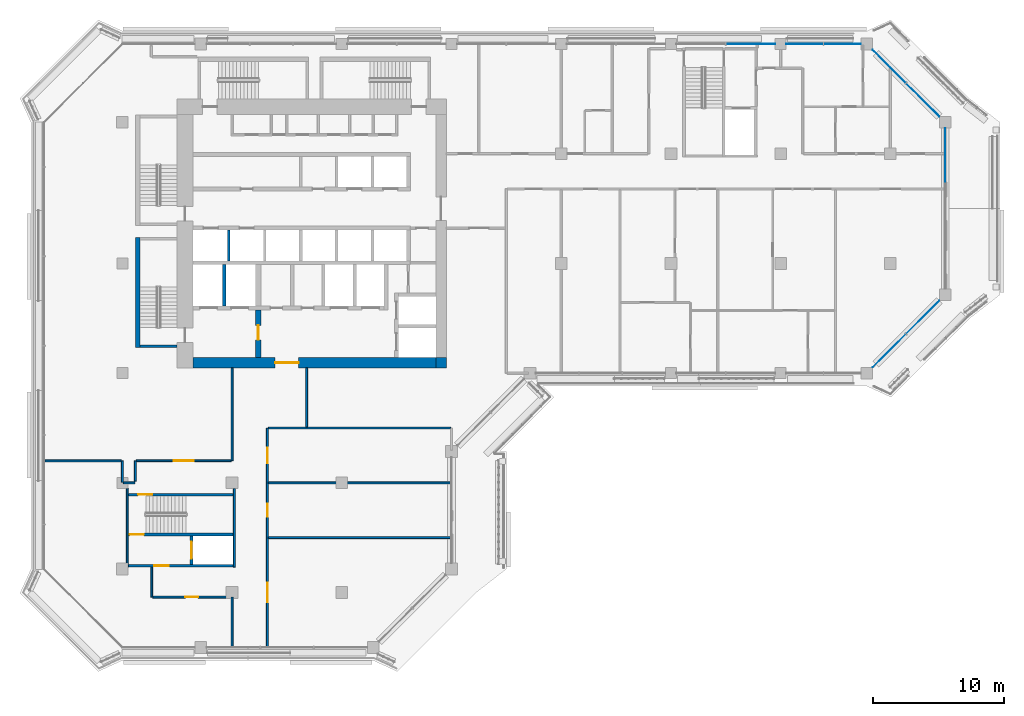
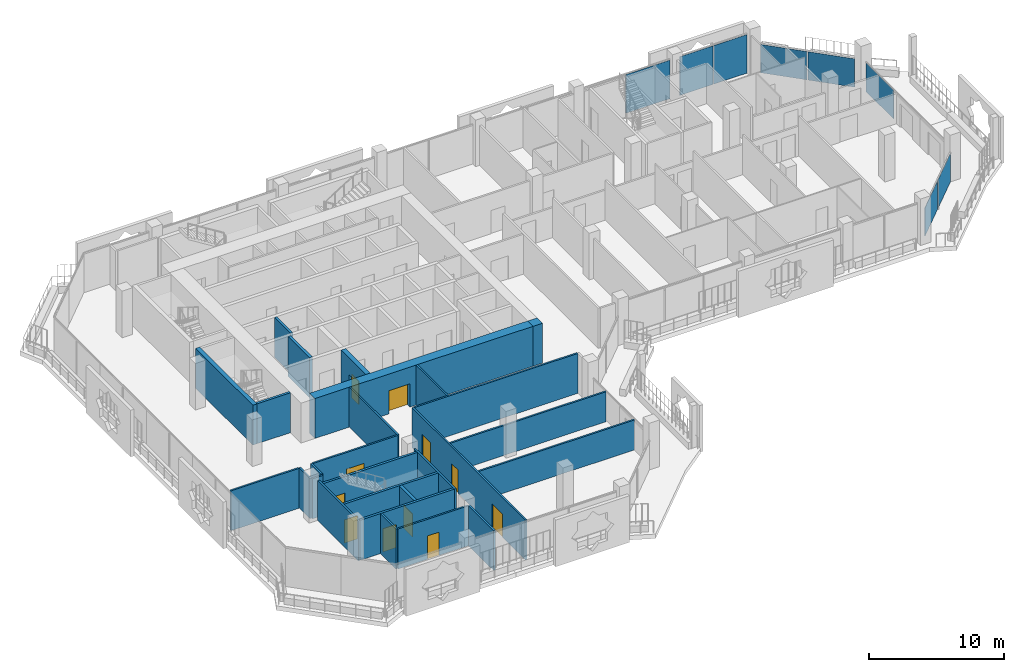
# One storey, part 9 of 20: 27 walls, 11 doors, 8 plates, 11 openings, 4 elements without a shape of their own.
"""IFC4 building model written with IfcOpenShell, lengths in metres."""

from ifc_helpers import new_model, si_unit, direction, frame, frame_2d, origin, origin_2d, place, context, subcontext, project, spatial, rectangle, extrude, material, layer, layer_set, type_object, element, fill, aggregate, save


model = new_model("IFC4")

# Units and contexts
model_context = context("Model", 3, precision=1e-05, world=origin(), true_north=direction((0.0, 1.0)))
body_context = subcontext(model_context, "Body", "Model", "MODEL_VIEW")
ifc_project = project(units=[si_unit("LENGTHUNIT", "METRE"), si_unit("AREAUNIT", "SQUARE_METRE"), si_unit("VOLUMEUNIT", "CUBIC_METRE"), si_unit("PLANEANGLEUNIT", "RADIAN"), si_unit("MASSUNIT", "GRAM", prefix="KILO")], contexts=[model_context])

# Site, building, storey
site_placement = place(None, origin())
site = spatial("IfcSite", under=ifc_project, at=site_placement, CompositionType="ELEMENT")
building_placement = place(site_placement, origin())
building = spatial("IfcBuilding", under=site, at=building_placement, Name="Kawkab Arch Medical Tower", CompositionType="ELEMENT")
storey_placement = place(building_placement, frame((0.0, 0.0, 239.0)))
storey = spatial("IfcBuildingStorey", under=building, at=storey_placement, Name="L55", CompositionType="ELEMENT", Elevation=239.0)

# Curtain wall, plate
ifc_material_1 = material(Name="Bronze anodised aluminium curtain wall frame", Category="aluminium")
ifc_layer_1 = layer(ifc_material_1, 0.159912109375)
ifc_layer_set_1 = layer_set([ifc_layer_1], Name="Bronze anodised aluminium curtain wall frame")
curtain_wall_type_1 = type_object("IfcCurtainWallType", Name="CW1 ward curtain wall", PredefinedType="NOTDEFINED", material=ifc_layer_set_1)
placement = place(storey_placement, origin())
curtain_wall_1 = element("IfcCurtainWall", 1, at=placement, inside=storey, type_object=curtain_wall_type_1, Name="CW1 Ward curtain wall R09", PredefinedType="NOTDEFINED")
ifc_material_2 = material(Name="Tinted insulating glass, bronze low-e coating", Category="glass")
ifc_layer_2 = layer(ifc_material_2, 0.031982421875)
ifc_layer_set_2 = layer_set([ifc_layer_2], Name="Tinted insulating glass, bronze low-e coating")
plate_type_1 = type_object("IfcPlateType", Name="CW1 glazing unit 32", PredefinedType="CURTAIN_PANEL", material=ifc_layer_set_2)
plate_1_placement = place(storey_placement, frame((63.0, -8.5, 0.0), z_axis=(0.0, 0.0, 1.0), x_axis=(0.0, 1.0, 0.0)))
plate_1 = element("IfcPlate", 2, at=plate_1_placement, type_object=plate_type_1, Name="CW1 glazing unit 1.3", PredefinedType="CURTAIN_PANEL", context=body_context, shape_type="SweptSolid", body=[
    extrude(rectangle(XDim=4.10009765625, YDim=0.031982421875, at=origin_2d()), origin(), (0.0, 0.0, 1.0), 2.580078125),
])
aggregate(curtain_wall_1, [plate_1])

# Curtain wall, plates
curtain_wall_2 = element("IfcCurtainWall", 3, at=placement, inside=storey, type_object=curtain_wall_type_1, Name="CW1 Ward curtain wall R11", PredefinedType="NOTDEFINED")
plate_2_placement = place(storey_placement, frame((55.1337890625, 0.0, 0.0), z_axis=(0.0, 0.0, 1.0), x_axis=(-1.0, 0.0, 0.0)))
plate_2 = element("IfcPlate", 4, at=plate_2_placement, type_object=plate_type_1, Name="CW1 glazing unit 1.1", PredefinedType="CURTAIN_PANEL", context=body_context, shape_type="SweptSolid", body=[
    extrude(rectangle(XDim=2.83251953125, YDim=0.031982421875, at=origin_2d()), origin(), (0.0, 0.0, 1.0), 3.47998046875),
])
plate_3_placement = place(storey_placement, frame((52.2412109375, 0.0, 0.0), z_axis=(0.0, 0.0, 1.0), x_axis=(-1.0, 0.0, 0.0)))
plate_3 = element("IfcPlate", 5, at=plate_3_placement, type_object=plate_type_1, Name="CW1 glazing unit 1.2", PredefinedType="CURTAIN_PANEL", context=body_context, shape_type="SweptSolid", body=[
    extrude(rectangle(XDim=2.83251953125, YDim=0.031982421875, at=origin_2d()), origin(), (0.0, 0.0, 1.0), 3.47998046875),
])
plate_4_placement = place(storey_placement, frame((48.1025390625, 0.0, 0.0), z_axis=(0.0, 0.0, 1.0), x_axis=(-1.0, 0.0, 0.0)))
plate_4 = element("IfcPlate", 6, at=plate_4_placement, type_object=plate_type_1, Name="CW1 glazing unit 2.1", PredefinedType="CURTAIN_PANEL", context=body_context, shape_type="SweptSolid", body=[
    extrude(rectangle(XDim=3.7451171875, YDim=0.031982421875, at=origin_2d()), origin(), (0.0, 0.0, 1.0), 3.47998046875),
])
aggregate(curtain_wall_2, [plate_2, plate_3, plate_4])

ifc_material_3 = material(Name="Bronze anodised aluminium curtain wall frame", Category="aluminium")
ifc_layer_3 = layer(ifc_material_3, 0.159912109375)
ifc_layer_set_3 = layer_set([ifc_layer_3], Name="Bronze anodised aluminium curtain wall frame")
curtain_wall_type_2 = type_object("IfcCurtainWallType", Name="CW2 chamfer curtain wall", PredefinedType="NOTDEFINED", material=ifc_layer_set_3)
curtain_wall_3 = element("IfcCurtainWall", 7, at=placement, inside=storey, type_object=curtain_wall_type_2, Name="CW2 Chamfer curtain wall R08", PredefinedType="NOTDEFINED")
ifc_material_4 = material(Name="Tinted insulating glass, bronze low-e coating", Category="glass")
ifc_layer_4 = layer(ifc_material_4, 0.031982421875)
ifc_layer_set_4 = layer_set([ifc_layer_4], Name="Tinted insulating glass, bronze low-e coating")
plate_type_2 = type_object("IfcPlateType", Name="CW2 glazing unit 32", PredefinedType="CURTAIN_PANEL", material=ifc_layer_set_4)
plate_5_placement = place(storey_placement, frame((58.71435546875, -23.485595703125, 0.0), z_axis=(0.0, 0.0, 1.0), x_axis=(0.707106781187, 0.707106781187, 0.0)))
plate_5 = element("IfcPlate", 8, at=plate_5_placement, type_object=plate_type_2, Name="CW2 glazing unit 1.1", PredefinedType="CURTAIN_PANEL", context=body_context, shape_type="SweptSolid", body=[
    extrude(rectangle(XDim=3.576171875, YDim=0.031982421875, at=origin_2d()), origin(), (0.0, 0.0, 1.0), 2.56005859375),
])
plate_6_placement = place(storey_placement, frame((61.28564453125, -20.914306640625, 0.0), z_axis=(0.0, 0.0, 1.0), x_axis=(0.707106781187, 0.707106781187, 0.0)))
plate_6 = element("IfcPlate", 9, at=plate_6_placement, type_object=plate_type_2, Name="CW2 glazing unit 1.2", PredefinedType="CURTAIN_PANEL", context=body_context, shape_type="SweptSolid", body=[
    extrude(rectangle(XDim=3.576171875, YDim=0.031982421875, at=origin_2d()), origin(), (0.0, 0.0, 1.0), 2.56005859375),
])
aggregate(curtain_wall_3, [plate_5, plate_6])

curtain_wall_4 = element("IfcCurtainWall", 10, at=placement, inside=storey, type_object=curtain_wall_type_2, Name="CW2 Chamfer curtain wall R10", PredefinedType="NOTDEFINED")
plate_7_placement = place(storey_placement, frame((61.28564453125, -4.28564453125, 0.0), z_axis=(0.0, 0.0, 1.0), x_axis=(-0.707106781187, 0.707106781187, 0.0)))
plate_7 = element("IfcPlate", 11, at=plate_7_placement, type_object=plate_type_2, Name="CW2 glazing unit 1.1", PredefinedType="CURTAIN_PANEL", context=body_context, shape_type="SweptSolid", body=[
    extrude(rectangle(XDim=3.576171875, YDim=0.031982421875, at=origin_2d()), origin(), (0.0, 0.0, 1.0), 2.56005859375),
])
plate_8_placement = place(storey_placement, frame((58.71435546875, -1.71435546875, 0.0), z_axis=(0.0, 0.0, 1.0), x_axis=(-0.707106781187, 0.707106781187, 0.0)))
plate_8 = element("IfcPlate", 12, at=plate_8_placement, type_object=plate_type_2, Name="CW2 glazing unit 1.2", PredefinedType="CURTAIN_PANEL", context=body_context, shape_type="SweptSolid", body=[
    extrude(rectangle(XDim=3.576171875, YDim=0.031982421875, at=origin_2d()), origin(), (0.0, 0.0, 1.0), 2.56005859375),
])
aggregate(curtain_wall_4, [plate_7, plate_8])

# Wall, opening, door
ifc_material_5 = material(Name="Concrete C50/60", Category="concrete")
ifc_layer_5 = layer(ifc_material_5, 0.800048828125)
ifc_layer_set_5 = layer_set([ifc_layer_5], Name="Concrete C50/60")
wall_type_1 = type_object("IfcWallType", Name="Core ring wall 800 C50/60", PredefinedType="SHEAR", material=ifc_layer_set_5)
wall_1_placement = place(storey_placement, frame((5.39990234375, -24.39990234375, 0.0), z_axis=(0.0, 0.0, 1.0), x_axis=(1.0, 0.0, 0.0)))
wall_1 = element("IfcWall", 13, at=wall_1_placement, inside=storey, type_object=wall_type_1, Name="L55 core wall", PredefinedType="SHEAR", context=body_context, shape_type="SweptSolid", body=[
    extrude(rectangle(XDim=18.60009765625, YDim=0.800048828125, at=frame_2d((9.300048828125, 0.0))), origin(), (0.0, 0.0, 1.0), 3.60009765625),
])
opening_1_placement = place(wall_1_placement, frame((6.300048828125, 0.0, 0.0)))
opening_1 = element("IfcOpeningElement", 14, at=opening_1_placement, cuts=wall_1, Name="Opening PD", PredefinedType="OPENING", context=body_context, shape_type="SweptSolid", body=[
    extrude(rectangle(XDim=1.800048828125, YDim=2.10009765625, at=frame_2d((0.89990234375, 1.050048828125))), frame((0.0, 0.409912109375, 0.0), z_axis=(0.0, -1.0, 0.0), x_axis=(1.0, 0.0, 0.0)), (0.0, 0.0, 1.0), 0.820068359375),
])
ifc_material_6 = material(Name="Hollow metal fire door leaf")
door_type_1 = type_object("IfcDoorType", Name="Core entrance doors 1800", OperationType="DOUBLE_DOOR_SINGLE_SWING", PredefinedType="DOOR", material=ifc_material_6)
door_1_placement = place(opening_1_placement, origin())
door_1 = element("IfcDoor", 15, at=door_1_placement, inside=storey, type_object=door_type_1, Name="L55 South entrance doors", OperationType="DOUBLE_DOOR_SINGLE_SWING", OverallHeight=2.10009765625, OverallWidth=1.800048828125, PredefinedType="DOOR", context=body_context, shape_type="SweptSolid", body=[
    extrude(rectangle(XDim=1.800048828125, YDim=2.10009765625, at=frame_2d((0.89990234375, 1.050048828125))), frame((0.0, 0.02490234375, 0.0), z_axis=(0.0, -1.0, 0.0), x_axis=(1.0, 0.0, 0.0)), (0.0, 0.0, 1.0), 0.050048828125),
])
fill(opening_1, door_1)

# Walls
wall_2_placement = place(storey_placement, frame((24.39990234375, -24.800048828125, 0.0), z_axis=(0.0, 0.0, 1.0), x_axis=(0.0, 1.0, 0.0)))
element("IfcWall", 16, at=wall_2_placement, inside=storey, type_object=wall_type_1, Name="L55 core wall", PredefinedType="SHEAR", context=body_context, shape_type="SweptSolid", body=[
    extrude(rectangle(XDim=0.800048828125, YDim=0.800048828125, at=frame_2d((0.39990234375, 0.0))), origin(), (0.0, 0.0, 1.0), 3.60009765625),
])
ifc_material_7 = material(Name="Concrete C60/75", Category="concrete")
ifc_layer_6 = layer(ifc_material_7, 0.25)
ifc_layer_set_6 = layer_set([ifc_layer_6], Name="Concrete C60/75")
wall_type_2 = type_object("IfcWallType", Name="Core shear wall 250 C60/75", PredefinedType="SHEAR", material=ifc_layer_set_6)
wall_3_placement = place(storey_placement, frame((7.800048828125, -20.050048828125, 0.0), z_axis=(0.0, 0.0, 1.0), x_axis=(0.0, 1.0, 0.0)))
element("IfcWall", 17, at=wall_3_placement, inside=storey, type_object=wall_type_2, Name="L55 core shear wall", PredefinedType="SHEAR", context=body_context, shape_type="SweptSolid", body=[
    extrude(rectangle(XDim=3.150146484375, YDim=0.25, at=frame_2d((1.5751953125, 0.0))), origin(), (0.0, 0.0, 1.0), 3.60009765625),
])

# Wall, opening, door
wall_4_placement = place(storey_placement, frame((5.300048828125, -39.85009765625, 0.0), z_axis=(0.0, 0.0, 1.0), x_axis=(0.0, 1.0, 0.0)))
wall_4 = element("IfcWall", 18, at=wall_4_placement, inside=storey, type_object=wall_type_2, Name="L55 core shear wall", PredefinedType="SHEAR", context=body_context, shape_type="SweptSolid", body=[
    extrude(rectangle(XDim=2.2001953125, YDim=0.25, at=frame_2d((1.10009765625, 0.0))), origin(), (0.0, 0.0, 1.0), 3.60009765625),
])
opening_2_placement = place(wall_4_placement, frame((0.449951171875, 0.0, 0.0)))
opening_2 = element("IfcOpeningElement", 19, at=opening_2_placement, cuts=wall_4, Name="Opening LD2", PredefinedType="OPENING", context=body_context, shape_type="SweptSolid", body=[
    extrude(rectangle(XDim=1.300048828125, YDim=2.10009765625, at=frame_2d((0.64990234375, 1.050048828125))), frame((0.0, 0.135009765625, 0.0), z_axis=(0.0, -1.0, 0.0), x_axis=(1.0, 0.0, 0.0)), (0.0, 0.0, 1.0), 0.27001953125),
])
ifc_material_8 = material(Name="Stainless steel lift door leaf", Category="steel")
door_type_2 = type_object("IfcDoorType", Name="Lift landing door 1300", OperationType="DOUBLE_DOOR_SLIDING", PredefinedType="DOOR", material=ifc_material_8)
door_2_placement = place(opening_2_placement, origin())
door_2 = element("IfcDoor", 20, at=door_2_placement, inside=storey, type_object=door_type_2, Name="L55 Lift landing door SV2", OperationType="DOUBLE_DOOR_SLIDING", OverallHeight=2.10009765625, OverallWidth=1.300048828125, PredefinedType="DOOR", context=body_context, shape_type="SweptSolid", body=[
    extrude(rectangle(XDim=1.300048828125, YDim=2.10009765625, at=frame_2d((0.64990234375, 1.050048828125))), frame((0.0, 0.02490234375, 0.0), z_axis=(0.0, -1.0, 0.0), x_axis=(1.0, 0.0, 0.0)), (0.0, 0.0, 1.0), 0.050048828125),
])
fill(opening_2, door_2)

ifc_material_9 = material(Name="Concrete C60/75", Category="concrete")
ifc_layer_7 = layer(ifc_material_9, 0.39990234375)
ifc_layer_set_7 = layer_set([ifc_layer_7], Name="Concrete C60/75")
wall_type_3 = type_object("IfcWallType", Name="Core shear wall 400 C60/75", PredefinedType="SHEAR", material=ifc_layer_set_7)
wall_5_placement = place(storey_placement, frame((10.39990234375, -24.0, 0.0), z_axis=(0.0, 0.0, 1.0), x_axis=(0.0, 1.0, 0.0)))
wall_5 = element("IfcWall", 21, at=wall_5_placement, inside=storey, type_object=wall_type_3, Name="L55 core shear wall", PredefinedType="SHEAR", context=body_context, shape_type="SweptSolid", body=[
    extrude(rectangle(XDim=3.64990234375, YDim=0.39990234375, at=frame_2d((1.824951171875, 0.0))), origin(), (0.0, 0.0, 1.0), 3.60009765625),
])
opening_3_placement = place(wall_5_placement, frame((1.35009765625, 0.0, 0.0)))
opening_3 = element("IfcOpeningElement", 22, at=opening_3_placement, cuts=wall_5, Name="Opening FD", PredefinedType="OPENING", context=body_context, shape_type="SweptSolid", body=[
    extrude(rectangle(XDim=1.10009765625, YDim=2.10009765625, at=frame_2d((0.550048828125, 1.050048828125))), frame((0.0, 0.2099609375, 0.0), z_axis=(0.0, -1.0, 0.0), x_axis=(1.0, 0.0, 0.0)), (0.0, 0.0, 1.0), 0.419921875),
])
ifc_material_10 = material(Name="Hollow metal fire door leaf")
door_type_3 = type_object("IfcDoorType", Name="Firefighting lobby door 1100", OperationType="SINGLE_SWING_LEFT", PredefinedType="DOOR", material=ifc_material_10)
door_3_placement = place(opening_3_placement, origin())
door_3 = element("IfcDoor", 23, at=door_3_placement, inside=storey, type_object=door_type_3, Name="L55 Firefighting lobby door", OperationType="SINGLE_SWING_LEFT", OverallHeight=2.10009765625, OverallWidth=1.10009765625, PredefinedType="DOOR", context=body_context, shape_type="SweptSolid", body=[
    extrude(rectangle(XDim=1.10009765625, YDim=2.10009765625, at=frame_2d((0.550048828125, 1.050048828125))), frame((0.0, 0.02490234375, 0.0), z_axis=(0.0, -1.0, 0.0), x_axis=(1.0, 0.0, 0.0)), (0.0, 0.0, 1.0), 0.050048828125),
])
fill(opening_3, door_3)

# Wall
ifc_material_11 = material(Name="Dense concrete blockwork", Category="masonry")
ifc_layer_8 = layer(ifc_material_11, 0.199951171875)
ifc_layer_set_8 = layer_set([ifc_layer_8], Name="Dense concrete blockwork")
wall_type_4 = type_object("IfcWallType", Name="Lift shaft partition 200", PredefinedType="PARTITIONING", material=ifc_layer_set_8)
wall_6_placement = place(storey_placement, frame((8.14990234375, -16.60009765625, 0.0), z_axis=(0.0, 0.0, 1.0), x_axis=(0.0, 1.0, 0.0)))
element("IfcWall", 24, at=wall_6_placement, inside=storey, type_object=wall_type_4, Name="L55 lift shaft partition", PredefinedType="PARTITIONING", context=body_context, shape_type="SweptSolid", body=[
    extrude(rectangle(XDim=2.35009765625, YDim=0.199951171875, at=frame_2d((1.175048828125, 0.0))), origin(), (0.0, 0.0, 1.0), 3.60009765625),
])

# Wall, opening, door
ifc_material_12 = material(Name="Gypsum board partition on steel studs, mineral wool", Category="steel")
ifc_layer_9 = layer(ifc_material_12, 0.14990234375)
ifc_layer_set_9 = layer_set([ifc_layer_9], Name="Gypsum board partition on steel studs, mineral wool")
wall_type_5 = type_object("IfcWallType", Name="Partition 150", PredefinedType="PARTITIONING", material=ifc_layer_set_9)
wall_7_placement = place(storey_placement, frame((2.326904296875, -42.35009765625, 0.0), z_axis=(0.0, 0.0, 1.0), x_axis=(1.0, 0.0, 0.0)))
wall_7 = element("IfcWall", 25, at=wall_7_placement, inside=storey, type_object=wall_type_5, Name="Partition 150 w012", PredefinedType="PARTITIONING", context=body_context, shape_type="SweptSolid", body=[
    extrude(rectangle(XDim=5.998046875, YDim=0.14990234375, at=frame_2d((2.9990234375, 0.0))), origin(), (0.0, 0.0, 1.0), 3.60009765625),
])
opening_4_placement = place(wall_7_placement, frame((2.4990234375, 0.0, 0.0)))
opening_4 = element("IfcOpeningElement", 26, at=opening_4_placement, cuts=wall_7, Name="Opening W55-020", PredefinedType="OPENING", context=body_context, shape_type="SweptSolid", body=[
    extrude(rectangle(XDim=1.0, YDim=2.10009765625, at=frame_2d((0.5, 1.050048828125))), frame((0.0, 0.0849609375, 0.0), z_axis=(0.0, -1.0, 0.0), x_axis=(1.0, 0.0, 0.0)), (0.0, 0.0, 1.0), 0.169921875),
])
ifc_material_13 = material(Name="Hollow metal door leaf")
door_type_4 = type_object("IfcDoorType", Name="Single door 1000x2100 FD30S", OperationType="NOTDEFINED", PredefinedType="DOOR", material=ifc_material_13)
door_4_placement = place(opening_4_placement, origin())
door_4 = element("IfcDoor", 27, at=door_4_placement, inside=storey, type_object=door_type_4, Name="Door W55-020", OperationType="SINGLE_SWING_RIGHT", OverallHeight=2.10009765625, OverallWidth=1.0, PredefinedType="DOOR", context=body_context, shape_type="SweptSolid", body=[
    extrude(rectangle(XDim=1.0, YDim=2.10009765625, at=frame_2d((0.5, 1.050048828125))), frame((0.0, 0.02490234375, 0.0), z_axis=(0.0, -1.0, 0.0), x_axis=(1.0, 0.0, 0.0)), (0.0, 0.0, 1.0), 0.050048828125),
])
fill(opening_4, door_4)

# Walls
wall_8_placement = place(storey_placement, frame((11.175048828125, -37.800048828125, 0.0), z_axis=(0.0, 0.0, 1.0), x_axis=(1.0, 0.0, 0.0)))
element("IfcWall", 28, at=wall_8_placement, inside=storey, type_object=wall_type_5, Name="Partition 150 w013", PredefinedType="PARTITIONING", context=body_context, shape_type="SweptSolid", body=[
    extrude(rectangle(XDim=13.945068359375, YDim=0.14990234375, at=frame_2d((6.97265625, 0.0))), origin(), (0.0, 0.0, 1.0), 2.699951171875),
])
wall_9_placement = place(storey_placement, frame((0.074951171875, -33.60009765625, 0.0), z_axis=(0.0, 0.0, 1.0), x_axis=(1.0, 0.0, 0.0)))
element("IfcWall", 29, at=wall_9_placement, inside=storey, type_object=wall_type_5, Name="Partition 150 w014", PredefinedType="PARTITIONING", context=body_context, shape_type="SweptSolid", body=[
    extrude(rectangle(XDim=0.875, YDim=0.14990234375, at=frame_2d((0.4375, 0.0))), origin(), (0.0, 0.0, 1.0), 3.60009765625),
])
wall_10_placement = place(storey_placement, frame((11.175048828125, -33.60009765625, 0.0), z_axis=(0.0, 0.0, 1.0), x_axis=(1.0, 0.0, 0.0)))
element("IfcWall", 30, at=wall_10_placement, inside=storey, type_object=wall_type_5, Name="Partition 150 w015", PredefinedType="PARTITIONING", context=body_context, shape_type="SweptSolid", body=[
    extrude(rectangle(XDim=13.945068359375, YDim=0.14990234375, at=frame_2d((6.97265625, 0.0))), origin(), (0.0, 0.0, 1.0), 2.699951171875),
])
wall_11_placement = place(storey_placement, frame((-5.919921875, -31.919921875, 0.0), z_axis=(0.0, 0.0, 1.0), x_axis=(1.0, 0.0, 0.0)))
element("IfcWall", 31, at=wall_11_placement, inside=storey, type_object=wall_type_5, Name="Partition 150 w016", PredefinedType="PARTITIONING", context=body_context, shape_type="SweptSolid", body=[
    extrude(rectangle(XDim=5.824951171875, YDim=0.14990234375, at=frame_2d((2.91259765625, 0.0))), origin(), (0.0, 0.0, 1.0), 3.60009765625),
])

# Wall, opening, door
wall_12_placement = place(storey_placement, frame((1.076904296875, -31.906982421875, 0.0), z_axis=(0.0, 0.0, 1.0), x_axis=(1.0, 0.0, 0.0)))
wall_12 = element("IfcWall", 32, at=wall_12_placement, inside=storey, type_object=wall_type_5, Name="Partition 150 w017", PredefinedType="PARTITIONING", context=body_context, shape_type="SweptSolid", body=[
    extrude(rectangle(XDim=7.248046875, YDim=0.14990234375, at=frame_2d((3.6240234375, 0.0))), origin(), (0.0, 0.0, 1.0), 3.60009765625),
])
opening_5_placement = place(wall_12_placement, frame((2.8740234375, 0.0, 0.0)))
opening_5 = element("IfcOpeningElement", 33, at=opening_5_placement, cuts=wall_12, Name="Opening W55-003", PredefinedType="OPENING", context=body_context, shape_type="SweptSolid", body=[
    extrude(rectangle(XDim=1.5, YDim=2.10009765625, at=frame_2d((0.75, 1.050048828125))), frame((0.0, 0.0849609375, 0.0), z_axis=(0.0, -1.0, 0.0), x_axis=(1.0, 0.0, 0.0)), (0.0, 0.0, 1.0), 0.169921875),
])
ifc_material_14 = material(Name="Hollow metal door leaf")
door_type_5 = type_object("IfcDoorType", Name="Double door 1500x2100 FD30S", OperationType="NOTDEFINED", PredefinedType="DOOR", material=ifc_material_14)
door_5_placement = place(opening_5_placement, origin())
door_5 = element("IfcDoor", 34, at=door_5_placement, inside=storey, type_object=door_type_5, Name="Door W55-003", OperationType="DOUBLE_DOOR_SINGLE_SWING", OverallHeight=2.10009765625, OverallWidth=1.5, PredefinedType="DOOR", context=body_context, shape_type="SweptSolid", body=[
    extrude(rectangle(XDim=1.5, YDim=2.10009765625, at=frame_2d((0.75, 1.050048828125))), frame((0.0, 0.02490234375, 0.0), z_axis=(0.0, -1.0, 0.0), x_axis=(1.0, 0.0, 0.0)), (0.0, 0.0, 1.0), 0.050048828125),
])
fill(opening_5, door_5)

# Walls
wall_13_placement = place(storey_placement, frame((11.175048828125, -29.39990234375, 0.0), z_axis=(0.0, 0.0, 1.0), x_axis=(1.0, 0.0, 0.0)))
element("IfcWall", 35, at=wall_13_placement, inside=storey, type_object=wall_type_5, Name="Partition 150 w018", PredefinedType="PARTITIONING", context=body_context, shape_type="SweptSolid", body=[
    extrude(rectangle(XDim=13.949951171875, YDim=0.14990234375, at=frame_2d((6.97509765625, 0.0))), origin(), (0.0, 0.0, 1.0), 3.60009765625),
])
wall_14_placement = place(storey_placement, frame((0.0, -33.56005859375, 0.0), z_axis=(0.0, 0.0, 1.0), x_axis=(0.0, 1.0, 0.0)))
element("IfcWall", 36, at=wall_14_placement, inside=storey, type_object=wall_type_5, Name="Partition 150 w028", PredefinedType="PARTITIONING", context=body_context, shape_type="SweptSolid", body=[
    extrude(rectangle(XDim=1.63916015625, YDim=0.14990234375, at=frame_2d((0.819580078125, 0.0))), origin(), (0.0, 0.0, 1.0), 3.60009765625),
])
wall_15_placement = place(storey_placement, frame((1.0, -33.465087890625, 0.0), z_axis=(0.0, 0.0, 1.0), x_axis=(0.0, 1.0, 0.0)))
element("IfcWall", 37, at=wall_15_placement, inside=storey, type_object=wall_type_5, Name="Partition 150 w029", PredefinedType="PARTITIONING", context=body_context, shape_type="SweptSolid", body=[
    extrude(rectangle(XDim=1.55615234375, YDim=0.14990234375, at=frame_2d((0.778076171875, 0.0))), origin(), (0.0, 0.0, 1.0), 3.60009765625),
])
wall_16_placement = place(storey_placement, frame((2.25, -42.345947265625, 0.0), z_axis=(0.0, 0.0, 1.0), x_axis=(0.0, 1.0, 0.0)))
element("IfcWall", 38, at=wall_16_placement, inside=storey, type_object=wall_type_5, Name="Partition 150 w031", PredefinedType="PARTITIONING", context=body_context, shape_type="SweptSolid", body=[
    extrude(rectangle(XDim=2.2958984375, YDim=0.14990234375, at=frame_2d((1.14794921875, 0.0))), origin(), (0.0, 0.0, 1.0), 3.60009765625),
])
wall_17_placement = place(storey_placement, frame((8.39990234375, -46.1201171875, 0.0), z_axis=(0.0, 0.0, 1.0), x_axis=(0.0, 1.0, 0.0)))
element("IfcWall", 39, at=wall_17_placement, inside=storey, type_object=wall_type_5, Name="Partition 150 w032", PredefinedType="PARTITIONING", context=body_context, shape_type="SweptSolid", body=[
    extrude(rectangle(XDim=3.77001953125, YDim=0.14990234375, at=frame_2d((1.885009765625, 0.0))), origin(), (0.0, 0.0, 1.0), 3.60009765625),
])
wall_18_placement = place(storey_placement, frame((8.39990234375, -31.906982421875, 0.0), z_axis=(0.0, 0.0, 1.0), x_axis=(0.0, 1.0, 0.0)))
element("IfcWall", 40, at=wall_18_placement, inside=storey, type_object=wall_type_5, Name="Partition 150 w033", PredefinedType="PARTITIONING", context=body_context, shape_type="SweptSolid", body=[
    extrude(rectangle(XDim=7.10693359375, YDim=0.14990234375, at=frame_2d((3.553466796875, 0.0))), origin(), (0.0, 0.0, 1.0), 3.60009765625),
])

# Wall, openings, doors
wall_19_placement = place(storey_placement, frame((11.10009765625, -46.1201171875, 0.0), z_axis=(0.0, 0.0, 1.0), x_axis=(0.0, 1.0, 0.0)))
wall_19 = element("IfcWall", 41, at=wall_19_placement, inside=storey, type_object=wall_type_5, Name="Partition 150 w034", PredefinedType="PARTITIONING", context=body_context, shape_type="SweptSolid", body=[
    extrude(rectangle(XDim=16.72021484375, YDim=0.14990234375, at=frame_2d((8.360107421875, 0.0))), origin(), (0.0, 0.0, 1.0), 3.60009765625),
])
opening_6_placement = place(wall_19_placement, frame((14.02001953125, 0.0, 0.0)))
opening_6 = element("IfcOpeningElement", 42, at=opening_6_placement, cuts=wall_19, Name="Opening W55-031", PredefinedType="OPENING", context=body_context, shape_type="SweptSolid", body=[
    extrude(rectangle(XDim=1.199951171875, YDim=2.10009765625, at=frame_2d((0.60009765625, 1.050048828125))), frame((0.0, 0.0849609375, 0.0), z_axis=(0.0, -1.0, 0.0), x_axis=(1.0, 0.0, 0.0)), (0.0, 0.0, 1.0), 0.169921875),
])
opening_7_placement = place(wall_19_placement, frame((9.919921875, 0.0, 0.0)))
opening_7 = element("IfcOpeningElement", 43, at=opening_7_placement, cuts=wall_19, Name="Opening W55-021", PredefinedType="OPENING", context=body_context, shape_type="SweptSolid", body=[
    extrude(rectangle(XDim=1.0, YDim=2.10009765625, at=frame_2d((0.5, 1.050048828125))), frame((0.0, 0.0849609375, 0.0), z_axis=(0.0, -1.0, 0.0), x_axis=(1.0, 0.0, 0.0)), (0.0, 0.0, 1.0), 0.169921875),
])
opening_8_placement = place(wall_19_placement, frame((3.3701171875, 0.0, 0.0)))
opening_8 = element("IfcOpeningElement", 44, at=opening_8_placement, cuts=wall_19, Name="Opening W55-004", PredefinedType="OPENING", context=body_context, shape_type="SweptSolid", body=[
    extrude(rectangle(XDim=1.5, YDim=2.10009765625, at=frame_2d((0.75, 1.050048828125))), frame((0.0, 0.0849609375, 0.0), z_axis=(0.0, -1.0, 0.0), x_axis=(1.0, 0.0, 0.0)), (0.0, 0.0, 1.0), 0.169921875),
])
door_6_placement = place(opening_8_placement, origin())
door_6 = element("IfcDoor", 45, at=door_6_placement, inside=storey, type_object=door_type_5, Name="Door W55-004", OperationType="DOUBLE_DOOR_SINGLE_SWING", OverallHeight=2.10009765625, OverallWidth=1.5, PredefinedType="DOOR", context=body_context, shape_type="SweptSolid", body=[
    extrude(rectangle(XDim=1.5, YDim=2.10009765625, at=frame_2d((0.75, 1.050048828125))), frame((0.0, 0.02490234375, 0.0), z_axis=(0.0, -1.0, 0.0), x_axis=(1.0, 0.0, 0.0)), (0.0, 0.0, 1.0), 0.050048828125),
])
fill(opening_8, door_6)
door_7_placement = place(opening_7_placement, origin())
door_7 = element("IfcDoor", 46, at=door_7_placement, inside=storey, type_object=door_type_4, Name="Door W55-021", OperationType="SINGLE_SWING_LEFT", OverallHeight=2.10009765625, OverallWidth=1.0, PredefinedType="DOOR", context=body_context, shape_type="SweptSolid", body=[
    extrude(rectangle(XDim=1.0, YDim=2.10009765625, at=frame_2d((0.5, 1.050048828125))), frame((0.0, 0.02490234375, 0.0), z_axis=(0.0, -1.0, 0.0), x_axis=(1.0, 0.0, 0.0)), (0.0, 0.0, 1.0), 0.050048828125),
])
fill(opening_7, door_7)
ifc_material_15 = material(Name="Hollow metal door leaf")
door_type_6 = type_object("IfcDoorType", Name="Single door 1200x2100 FD30S", OperationType="NOTDEFINED", PredefinedType="DOOR", material=ifc_material_15)
door_8_placement = place(opening_6_placement, origin())
door_8 = element("IfcDoor", 47, at=door_8_placement, inside=storey, type_object=door_type_6, Name="Door W55-031", OperationType="SINGLE_SWING_LEFT", OverallHeight=2.10009765625, OverallWidth=1.199951171875, PredefinedType="DOOR", context=body_context, shape_type="SweptSolid", body=[
    extrude(rectangle(XDim=1.199951171875, YDim=2.10009765625, at=frame_2d((0.60009765625, 1.050048828125))), frame((0.0, 0.02490234375, 0.0), z_axis=(0.0, -1.0, 0.0), x_axis=(1.0, 0.0, 0.0)), (0.0, 0.0, 1.0), 0.050048828125),
])
fill(opening_6, door_8)

# Walls
wall_20_placement = place(storey_placement, frame((14.10009765625, -29.324951171875, 0.0), z_axis=(0.0, 0.0, 1.0), x_axis=(0.0, 1.0, 0.0)))
element("IfcWall", 48, at=wall_20_placement, inside=storey, type_object=wall_type_5, Name="Partition 150 w035", PredefinedType="PARTITIONING", context=body_context, shape_type="SweptSolid", body=[
    extrude(rectangle(XDim=4.52490234375, YDim=0.14990234375, at=frame_2d((2.262451171875, 0.0))), origin(), (0.0, 0.0, 1.0), 3.60009765625),
])
ifc_material_16 = material(Name="Concrete C50/60", Category="concrete")
ifc_layer_10 = layer(ifc_material_16, 0.14990234375)
ifc_layer_set_10 = layer_set([ifc_layer_10], Name="Concrete C50/60")
wall_type_6 = type_object("IfcWallType", Name="Stair enclosure wall 150 C50/60", PredefinedType="SHEAR", material=ifc_layer_set_10)
wall_21_placement = place(storey_placement, frame((0.375, -40.050048828125, 0.0), z_axis=(0.0, 0.0, 1.0), x_axis=(0.0, 1.0, 0.0)))
element("IfcWall", 49, at=wall_21_placement, inside=storey, type_object=wall_type_6, Name="L55 stair enclosure wall", PredefinedType="SHEAR", context=body_context, shape_type="SweptSolid", body=[
    extrude(rectangle(XDim=6.025146484375, YDim=0.14990234375, at=frame_2d((3.0126953125, 0.0))), origin(), (0.0, 0.0, 1.0), 3.60009765625),
])
wall_22_placement = place(storey_placement, frame((8.574951171875, -40.050048828125, 0.0), z_axis=(0.0, 0.0, 1.0), x_axis=(0.0, 1.0, 0.0)))
element("IfcWall", 50, at=wall_22_placement, inside=storey, type_object=wall_type_6, Name="L55 stair enclosure wall", PredefinedType="SHEAR", context=body_context, shape_type="SweptSolid", body=[
    extrude(rectangle(XDim=6.0, YDim=0.14990234375, at=frame_2d((3.0, 0.0))), origin(), (0.0, 0.0, 1.0), 3.60009765625),
])
ifc_material_17 = material(Name="Concrete C50/60", Category="concrete")
ifc_layer_11 = layer(ifc_material_17, 0.199951171875)
ifc_layer_set_11 = layer_set([ifc_layer_11], Name="Concrete C50/60")
wall_type_7 = type_object("IfcWallType", Name="Stair enclosure wall 200 C50/60", PredefinedType="SHEAR", material=ifc_layer_set_11)
wall_23_placement = place(storey_placement, frame((1.35009765625, -23.14990234375, 0.0), z_axis=(0.0, 0.0, 1.0), x_axis=(1.0, 0.0, 0.0)))
element("IfcWall", 51, at=wall_23_placement, inside=storey, type_object=wall_type_7, Name="L55 stair enclosure wall", PredefinedType="SHEAR", context=body_context, shape_type="SweptSolid", body=[
    extrude(rectangle(XDim=2.849853515625, YDim=0.199951171875, at=frame_2d((1.4248046875, 0.0))), origin(), (0.0, 0.0, 1.0), 3.60009765625),
])

# Wall, opening, door
wall_24_placement = place(storey_placement, frame((0.449951171875, -34.5, 0.0), z_axis=(0.0, 0.0, 1.0), x_axis=(1.0, 0.0, 0.0)))
wall_24 = element("IfcWall", 52, at=wall_24_placement, inside=storey, type_object=wall_type_7, Name="L55 stair enclosure wall", PredefinedType="SHEAR", context=body_context, shape_type="SweptSolid", body=[
    extrude(rectangle(XDim=8.050048828125, YDim=0.199951171875, at=frame_2d((4.02490234375, 0.0))), origin(), (0.0, 0.0, 1.0), 3.60009765625),
])
opening_9_placement = place(wall_24_placement, frame((0.75, 0.0, 0.0)))
opening_9 = element("IfcOpeningElement", 53, at=opening_9_placement, cuts=wall_24, Name="Opening SD", PredefinedType="OPENING", context=body_context, shape_type="SweptSolid", body=[
    extrude(rectangle(XDim=1.10009765625, YDim=2.10009765625, at=frame_2d((0.550048828125, 1.050048828125))), frame((0.0, 0.10986328125, 0.0), z_axis=(0.0, -1.0, 0.0), x_axis=(1.0, 0.0, 0.0)), (0.0, 0.0, 1.0), 0.219970703125),
])
ifc_material_18 = material(Name="Hollow metal fire door leaf")
door_type_7 = type_object("IfcDoorType", Name="Exit stair door 1100", OperationType="SINGLE_SWING_LEFT", PredefinedType="DOOR", material=ifc_material_18)
door_9_placement = place(opening_9_placement, origin())
door_9 = element("IfcDoor", 54, at=door_9_placement, inside=storey, type_object=door_type_7, Name="L55 Exit stair ST6 door", OperationType="SINGLE_SWING_LEFT", OverallHeight=2.10009765625, OverallWidth=1.10009765625, PredefinedType="DOOR", context=body_context, shape_type="SweptSolid", body=[
    extrude(rectangle(XDim=1.10009765625, YDim=2.10009765625, at=frame_2d((0.550048828125, 1.050048828125))), frame((0.0, 0.02490234375, 0.0), z_axis=(0.0, -1.0, 0.0), x_axis=(1.0, 0.0, 0.0)), (0.0, 0.0, 1.0), 0.050048828125),
])
fill(opening_9, door_9)

wall_25_placement = place(storey_placement, frame((0.449951171875, -37.550048828125, 0.0), z_axis=(0.0, 0.0, 1.0), x_axis=(1.0, 0.0, 0.0)))
wall_25 = element("IfcWall", 55, at=wall_25_placement, inside=storey, type_object=wall_type_7, Name="L55 stair enclosure wall", PredefinedType="SHEAR", context=body_context, shape_type="SweptSolid", body=[
    extrude(rectangle(XDim=8.050048828125, YDim=0.199951171875, at=frame_2d((4.02490234375, 0.0))), origin(), (0.0, 0.0, 1.0), 3.60009765625),
])
opening_10_placement = place(wall_25_placement, frame((0.10009765625, 0.0, 0.0)))
opening_10 = element("IfcOpeningElement", 56, at=opening_10_placement, cuts=wall_25, Name="Opening SD", PredefinedType="OPENING", context=body_context, shape_type="SweptSolid", body=[
    extrude(rectangle(XDim=1.10009765625, YDim=2.10009765625, at=frame_2d((0.550048828125, 1.050048828125))), frame((0.0, 0.10986328125, 0.0), z_axis=(0.0, -1.0, 0.0), x_axis=(1.0, 0.0, 0.0)), (0.0, 0.0, 1.0), 0.219970703125),
])
door_10_placement = place(opening_10_placement, frame((1.10009765625, 0.0, 0.0), z_axis=(0.0, 0.0, 1.0), x_axis=(-1.0, 0.0, 0.0)))
door_10 = element("IfcDoor", 57, at=door_10_placement, inside=storey, type_object=door_type_7, Name="L55 Exit stair ST6 lobby door", OperationType="SINGLE_SWING_LEFT", OverallHeight=2.10009765625, OverallWidth=1.10009765625, PredefinedType="DOOR", context=body_context, shape_type="SweptSolid", body=[
    extrude(rectangle(XDim=1.10009765625, YDim=2.10009765625, at=frame_2d((0.550048828125, 1.050048828125))), frame((0.0, 0.02490234375, 0.0), z_axis=(0.0, -1.0, 0.0), x_axis=(1.0, 0.0, 0.0)), (0.0, 0.0, 1.0), 0.050048828125),
])
fill(opening_10, door_10)

wall_26_placement = place(storey_placement, frame((0.449951171875, -39.949951171875, 0.0), z_axis=(0.0, 0.0, 1.0), x_axis=(1.0, 0.0, 0.0)))
wall_26 = element("IfcWall", 58, at=wall_26_placement, inside=storey, type_object=wall_type_7, Name="L55 stair enclosure wall", PredefinedType="SHEAR", context=body_context, shape_type="SweptSolid", body=[
    extrude(rectangle(XDim=8.050048828125, YDim=0.199951171875, at=frame_2d((4.02490234375, 0.0))), origin(), (0.0, 0.0, 1.0), 3.60009765625),
])
opening_11_placement = place(wall_26_placement, frame((2.0, 0.0, 0.0)))
opening_11 = element("IfcOpeningElement", 59, at=opening_11_placement, cuts=wall_26, Name="Opening FD", PredefinedType="OPENING", context=body_context, shape_type="SweptSolid", body=[
    extrude(rectangle(XDim=1.10009765625, YDim=2.10009765625, at=frame_2d((0.550048828125, 1.050048828125))), frame((0.0, 0.10986328125, 0.0), z_axis=(0.0, -1.0, 0.0), x_axis=(1.0, 0.0, 0.0)), (0.0, 0.0, 1.0), 0.219970703125),
])
door_11_placement = place(opening_11_placement, origin())
door_11 = element("IfcDoor", 60, at=door_11_placement, inside=storey, type_object=door_type_3, Name="L55 Service lift lobby door SV2", OperationType="SINGLE_SWING_LEFT", OverallHeight=2.10009765625, OverallWidth=1.10009765625, PredefinedType="DOOR", context=body_context, shape_type="SweptSolid", body=[
    extrude(rectangle(XDim=1.10009765625, YDim=2.10009765625, at=frame_2d((0.550048828125, 1.050048828125))), frame((0.0, 0.02490234375, 0.0), z_axis=(0.0, -1.0, 0.0), x_axis=(1.0, 0.0, 0.0)), (0.0, 0.0, 1.0), 0.050048828125),
])
fill(opening_11, door_11)

# Wall
ifc_material_19 = material(Name="Concrete C50/60", Category="concrete")
ifc_layer_12 = layer(ifc_material_19, 0.35009765625)
ifc_layer_set_12 = layer_set([ifc_layer_12], Name="Concrete C50/60")
wall_type_8 = type_object("IfcWallType", Name="Stair enclosure wall 350 C50/60", PredefinedType="SHEAR", material=ifc_layer_set_12)
wall_27_placement = place(storey_placement, frame((1.175048828125, -23.25, 0.0), z_axis=(0.0, 0.0, 1.0), x_axis=(0.0, 1.0, 0.0)))
element("IfcWall", 61, at=wall_27_placement, inside=storey, type_object=wall_type_8, Name="L55 stair enclosure wall", PredefinedType="SHEAR", context=body_context, shape_type="SweptSolid", body=[
    extrude(rectangle(XDim=8.449951171875, YDim=0.35009765625, at=frame_2d((4.22509765625, 0.0))), origin(), (0.0, 0.0, 1.0), 3.60009765625),
])

save(model, "model.ifc")
